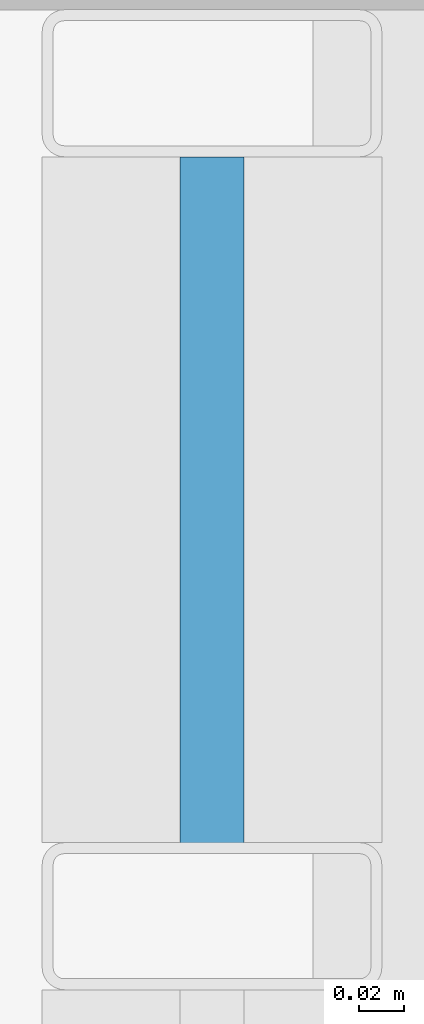
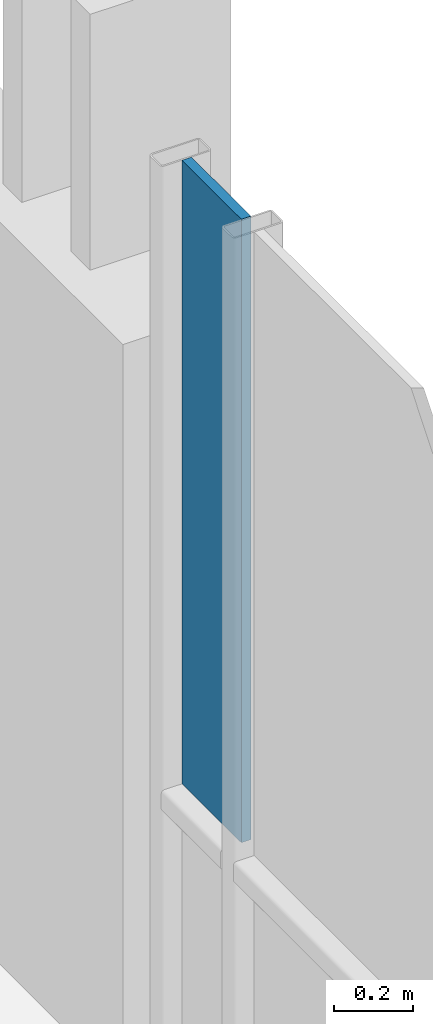
# One storey, part 28 of 41: 1 plate, 1 element without a shape of its own.
"""IFC4 building model written with IfcOpenShell, lengths in metres."""

from ifc_helpers import new_model, si_unit, direction, frame, origin, origin_2d, place, context, subcontext, project, spatial, rectangle, extrude, material, layer, layer_set, type_object, element, aggregate, save


model = new_model("IFC4")

# Units and contexts
model_context = context("Model", 3, precision=1e-05, world=origin(), true_north=direction((0.0, 1.0)))
body_context = subcontext(model_context, "Body", "Model", "MODEL_VIEW")
ifc_project = project(units=[si_unit("LENGTHUNIT", "METRE"), si_unit("AREAUNIT", "SQUARE_METRE"), si_unit("VOLUMEUNIT", "CUBIC_METRE"), si_unit("PLANEANGLEUNIT", "RADIAN"), si_unit("MASSUNIT", "GRAM", prefix="KILO")], contexts=[model_context])

# Site, building, storey
site_placement = place(None, origin())
site = spatial("IfcSite", under=ifc_project, at=site_placement, CompositionType="ELEMENT")
building_placement = place(site_placement, origin())
building = spatial("IfcBuilding", under=site, at=building_placement, Name="Brevholm Reach", CompositionType="ELEMENT")
storey_placement = place(building_placement, frame((0.0, 0.0, 49.699951171875)))
storey = spatial("IfcBuildingStorey", under=building, at=storey_placement, Name="L13", CompositionType="ELEMENT", Elevation=49.699951171875)

# Curtain wall, plate
ifc_material_1 = material(Name="Dark Anodised Aluminium 6063-T6 and Solar-Control Glass", Category="aluminium")
ifc_layer_1 = layer(ifc_material_1, 0.14990234375)
ifc_layer_set_1 = layer_set([ifc_layer_1], Name="Dark Anodised Aluminium 6063-T6 and Solar-Control Glass")
curtain_wall_type = type_object("IfcCurtainWallType", Name="CW-01", PredefinedType="NOTDEFINED", material=ifc_layer_set_1)
curtain_wall_placement = place(storey_placement, origin())
curtain_wall = element("IfcCurtainWall", 1, at=curtain_wall_placement, inside=storey, type_object=curtain_wall_type, Name="L13 Curtain Wall CW-01", PredefinedType="NOTDEFINED")
ifc_material_2 = material(Name="Dark Solar-Control Double-Glazed IGU Glass", Category="glass")
ifc_layer_2 = layer(ifc_material_2, 0.028076171875)
ifc_layer_set_2 = layer_set([ifc_layer_2], Name="Dark Solar-Control Double-Glazed IGU Glass")
plate_type = type_object("IfcPlateType", Name="CWP-GLZ-28", PredefinedType="CURTAIN_PANEL", material=ifc_layer_set_2)
plate_placement = place(storey_placement, frame((59.85009765625, 22.733642578125, 0.9326171875), z_axis=(0.0, 0.0, 1.0), x_axis=(0.0, 1.0, 0.0)))
plate = element("IfcPlate", 2, at=plate_placement, type_object=plate_type, Name="CP-01 Glazing Panel 5.2", PredefinedType="CURTAIN_PANEL", context=body_context, shape_type="SweptSolid", body=[
    extrude(rectangle(XDim=0.302490234375, YDim=0.028076171875, at=origin_2d()), origin(), (0.0, 0.0, 1.0), 1.9375),
])
aggregate(curtain_wall, [plate])

save(model, "model.ifc")
